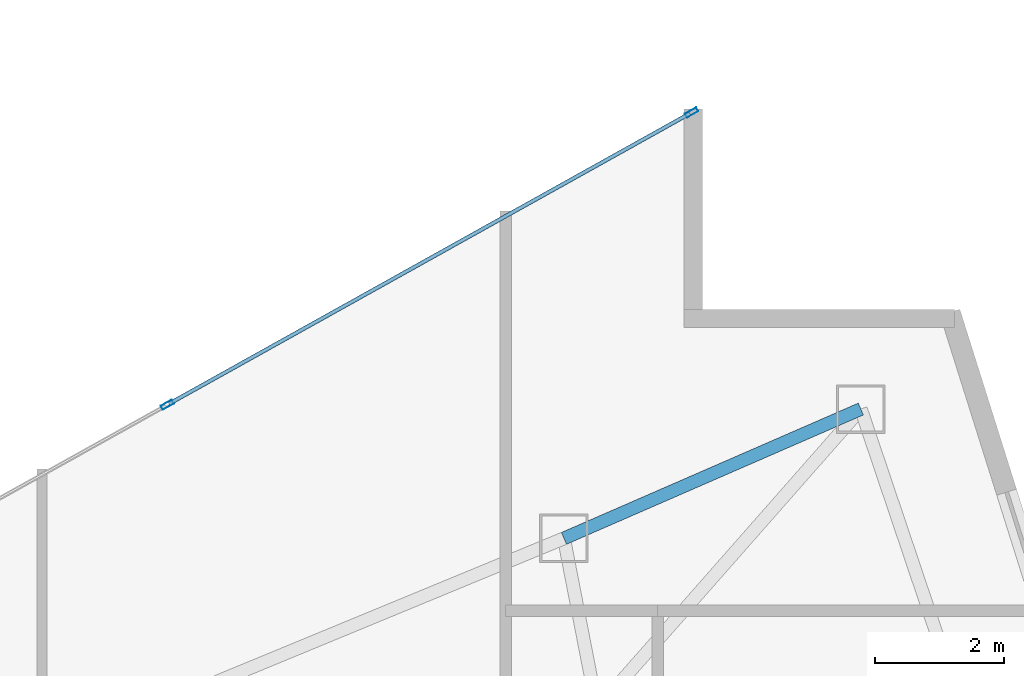
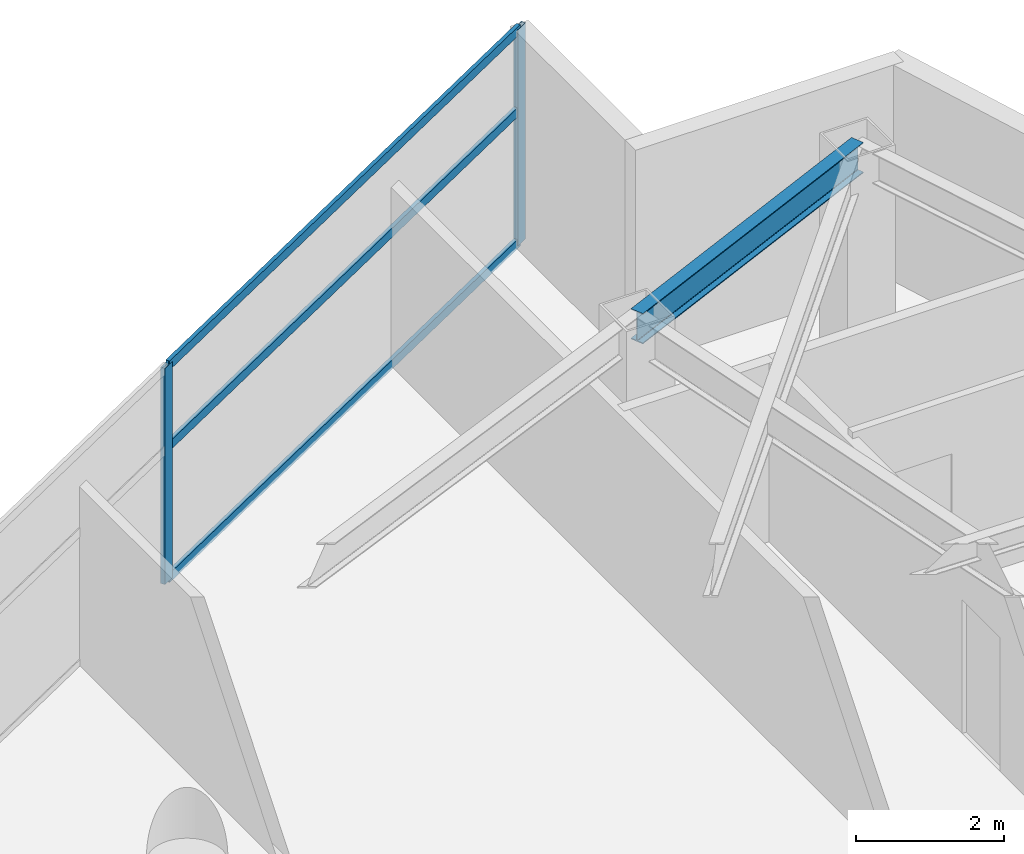
# One storey, part 20 of 29: 5 members, 1 beam, 1 element without a shape of its own.
"""IFC4 building model written with IfcOpenShell, lengths in metres."""

import ifcopenshell
import ifcopenshell.guid

model = None  # the IFC model being written
_history = None  # IfcOwnerHistory: only IFC2X3 demands one
_inside = {}  # id of a spatial element -> (the spatial element, [elements in it])
_under = {}  # id of a project, library or spatial element -> (it, [spatial elements below it])
_declared = {}  # id of a project -> (the project, [libraries it declares])
_typed = {}  # id of a type object -> (the type object, [elements of that type])
_made_of = {}  # id of a material, layer set ... -> (it, [elements and type objects made of it])


def new_model(schema):
    """Start an empty IFC model of exactly this schema.

    Asked for "IFC4X3", IfcOpenShell would pick the latest addendum, in which some entities
    have other attributes; the version numbers below select the first issue.
    IFC2X3 requires an IfcOwnerHistory on every rooted entity: one is made here for all.
    """
    global model, _history
    if schema == "IFC4X3":
        model = ifcopenshell.file(schema_version=(4, 3, 0, 0))
    else:
        model = ifcopenshell.file(schema=schema)
    _inside.clear()
    _under.clear()
    _declared.clear()
    _typed.clear()
    _made_of.clear()
    _history = None
    if model.schema == "IFC2X3":
        org = make("IfcOrganization", Name="unknown")
        user = make(
            "IfcPersonAndOrganization",
            ThePerson=make("IfcPerson", FamilyName="unknown"),
            TheOrganization=org,
        )
        app = make(
            "IfcApplication",
            ApplicationDeveloper=org,
            Version="unknown",
            ApplicationFullName="unknown",
            ApplicationIdentifier="unknown",
        )
        _history = make(
            "IfcOwnerHistory",
            OwningUser=user,
            OwningApplication=app,
            ChangeAction="ADDED",
            CreationDate=0,
        )
    return model


def make(cls, **values):
    """One entity of the class cls with the attributes given. An attribute that is None is left unset."""
    return model.create_entity(
        cls, **{name: value for name, value in values.items() if value is not None}
    )


def rooted(cls, **values):
    """An entity with a GlobalId (a new one), such as an element, a storey or a relation."""
    return make(cls, GlobalId=ifcopenshell.guid.new(), OwnerHistory=_history, **values)


def si_unit(unit_type, name, prefix=None):
    """IfcSIUnit, for example si_unit("LENGTHUNIT", "METRE", prefix="MILLI")."""
    return make("IfcSIUnit", UnitType=unit_type, Prefix=prefix, Name=name)


def assignment(units):
    """IfcUnitAssignment: the units of a project."""
    return None if units is None else make("IfcUnitAssignment", Units=units)


def point(xyz):
    """IfcCartesianPoint."""
    return None if xyz is None else make("IfcCartesianPoint", Coordinates=xyz)


def direction(xyz):
    """IfcDirection."""
    return None if xyz is None else make("IfcDirection", DirectionRatios=xyz)


def frame(location, z_axis=None, x_axis=None):
    """IfcAxis2Placement3D, a coordinate frame: its origin and axes. An axis left out is left unset."""
    return make(
        "IfcAxis2Placement3D",
        Location=point(location),
        Axis=direction(z_axis),
        RefDirection=direction(x_axis),
    )


def frame_2d(location, x_axis=None):
    """IfcAxis2Placement2D, a coordinate frame in the plane: its origin and x axis."""
    return make(
        "IfcAxis2Placement2D", Location=point(location), RefDirection=direction(x_axis)
    )


def origin():
    """The frame at (0, 0, 0) with its axes left unset."""
    return frame((0.0, 0.0, 0.0))


def origin_2d():
    """The frame at (0, 0) in the plane with its x axis left unset."""
    return frame_2d((0.0, 0.0))


def place(relative_to, where):
    """IfcLocalPlacement: puts the frame where relative to a parent placement (None: the world)."""
    return make(
        "IfcLocalPlacement", PlacementRelTo=relative_to, RelativePlacement=where
    )


def context(
    kind, dimensions, precision=None, world=None, true_north=None, identifier=None
):
    """IfcGeometricRepresentationContext, for example the 3D "Model" context."""
    return make(
        "IfcGeometricRepresentationContext",
        ContextIdentifier=identifier,
        ContextType=kind,
        CoordinateSpaceDimension=dimensions,
        Precision=precision,
        WorldCoordinateSystem=world,
        TrueNorth=true_north,
    )


def subcontext(parent, identifier, kind, view, scale=None):
    """IfcGeometricRepresentationSubContext, for example "Body" below "Model"."""
    return make(
        "IfcGeometricRepresentationSubContext",
        ContextIdentifier=identifier,
        ContextType=kind,
        ParentContext=parent,
        TargetScale=scale,
        TargetView=view,
    )


def project(units=None, contexts=None):
    """IfcProject with its units and contexts."""
    return rooted(
        "IfcProject",
        Name="project",
        RepresentationContexts=contexts,
        UnitsInContext=assignment(units),
    )


def spatial(cls, under=None, at=None, **own):
    """A site, building, storey or space (cls), placed at a placement, below another one or the project."""
    s = rooted(cls, ObjectPlacement=at, **own)
    if under is not None:
        _under.setdefault(under.id(), (under, []))[1].append(s)
    return s


def profile(cls, at=None, kind="AREA", **sizes):
    """A parametric profile (cls). Its sizes go by their IFC names, for example OverallWidth=200.0."""
    return make(cls, ProfileType=kind, Position=at, **sizes)


def hollow_rectangle(**sizes):
    """IfcRectangleHollowProfileDef."""
    return profile("IfcRectangleHollowProfileDef", **sizes)


def i_section(**sizes):
    """IfcIShapeProfileDef."""
    return profile("IfcIShapeProfileDef", **sizes)


def extrude(swept, where, along, depth):
    """IfcExtrudedAreaSolid: the profile swept, set in the frame where, extruded along a direction by depth."""
    return make(
        "IfcExtrudedAreaSolid",
        SweptArea=swept,
        Position=where,
        ExtrudedDirection=direction(along),
        Depth=depth,
    )


def shape(context_of_items, identifier, shape_type, items):
    """IfcShapeRepresentation: the items that make up one representation, for example the "Body"."""
    return make(
        "IfcShapeRepresentation",
        ContextOfItems=context_of_items,
        RepresentationIdentifier=identifier,
        RepresentationType=shape_type,
        Items=items,
    )


def material(Name=None, Category=None):
    """IfcMaterial."""
    return make("IfcMaterial", Name=Name, Category=Category)


def layer(
    of_material, thickness, ventilated=None, Name=None, Category=None, Priority=None
):
    """IfcMaterialLayer: one layer of a wall or slab, of a material (None: an air gap)."""
    return make(
        "IfcMaterialLayer",
        Material=of_material,
        LayerThickness=thickness,
        IsVentilated=ventilated,
        Name=Name,
        Category=Category,
        Priority=Priority,
    )


def layer_set(layers, Name=None):
    """IfcMaterialLayerSet."""
    return make("IfcMaterialLayerSet", MaterialLayers=layers, LayerSetName=Name)


def material_profile(
    of_material, cross_section, Name=None, Category=None, Priority=None
):
    """IfcMaterialProfile: a cross section and its material."""
    return make(
        "IfcMaterialProfile",
        Name=Name,
        Material=of_material,
        Profile=cross_section,
        Priority=Priority,
        Category=Category,
    )


def profile_set(profiles, Name=None, composite=None):
    """IfcMaterialProfileSet."""
    return make(
        "IfcMaterialProfileSet",
        Name=Name,
        MaterialProfiles=profiles,
        CompositeProfile=composite,
    )


def made_of(thing, what):
    """Note that an element or type object is made of a material, layer set ...; save() writes the relation."""
    if what is not None:
        _made_of.setdefault(what.id(), (what, []))[1].append(thing)
    return thing


def type_object(cls, material=None, **own):
    """A type object (cls), such as IfcWallType, which elements share."""
    return made_of(rooted(cls, **own), material)


def element(
    cls,
    number,
    at=None,
    inside=None,
    cuts=None,
    type_object=None,
    material=None,
    context=None,
    identifier="Body",
    shape_type=None,
    held_by="IfcProductDefinitionShape",
    body=None,
    shapes=None,
    **own,
):
    """One element of the class cls, such as IfcWall. Its Tag is "e" and its number.

    at: its placement. inside: the storey or other place that contains it. cuts: it is an
    opening in that element (IfcRelVoidsElement). A single representation is given by context,
    identifier, shape_type and body (its items); several are given by shapes. held_by: the class
    of the entity that holds the representations. save() writes the other relations.
    """
    e = rooted(cls, Tag="e%d" % number, ObjectPlacement=at, **own)
    if body is not None:
        shapes = [shape(context, identifier, shape_type, body)]
    if shapes is not None:
        e.Representation = make(held_by, Representations=shapes)
    if inside is not None:
        _inside.setdefault(inside.id(), (inside, []))[1].append(e)
    if cuts is not None:
        rooted(
            "IfcRelVoidsElement", RelatingBuildingElement=cuts, RelatedOpeningElement=e
        )
    if type_object is not None:
        _typed.setdefault(type_object.id(), (type_object, []))[1].append(e)
    return made_of(e, material)


def aggregate(whole, parts):
    """IfcRelAggregates: a whole, such as a stair, and the parts it consists of."""
    return rooted("IfcRelAggregates", RelatingObject=whole, RelatedObjects=parts)


def save(model, path):
    """Write the relations noted so far, then the file.

    IfcRelAggregates (storeys below a building ...), IfcRelContainedInSpatialStructure (elements
    in a storey), IfcRelDefinesByType, IfcRelAssociatesMaterial and IfcRelDeclares: one each for
    every whole, place, type object, material and project.
    """
    for whole, parts in _under.values():
        aggregate(whole, parts)
    for where, things in _inside.values():
        rooted(
            "IfcRelContainedInSpatialStructure",
            RelatedElements=things,
            RelatingStructure=where,
        )
    for kind, things in _typed.values():
        rooted("IfcRelDefinesByType", RelatedObjects=things, RelatingType=kind)
    for what, things in _made_of.values():
        rooted("IfcRelAssociatesMaterial", RelatedObjects=things, RelatingMaterial=what)
    for by, libraries in _declared.values():
        rooted("IfcRelDeclares", RelatingContext=by, RelatedDefinitions=libraries)
    model.write(path)


model = new_model("IFC4")

# Units and contexts
model_context = context("Model", 3, precision=1e-05, world=origin(), true_north=direction((0.0, 1.0)))
body_context = subcontext(model_context, "Body", "Model", "MODEL_VIEW")
ifc_project = project(units=[si_unit("LENGTHUNIT", "METRE"), si_unit("AREAUNIT", "SQUARE_METRE"), si_unit("VOLUMEUNIT", "CUBIC_METRE"), si_unit("PLANEANGLEUNIT", "RADIAN"), si_unit("MASSUNIT", "GRAM", prefix="KILO")], contexts=[model_context])

# Site, building, storey
site_placement = place(None, origin())
site = spatial("IfcSite", under=ifc_project, at=site_placement, CompositionType="ELEMENT")
building_placement = place(site_placement, origin())
building = spatial("IfcBuilding", under=site, at=building_placement, Name="Calvorn Quay Hotel", CompositionType="ELEMENT")
storey_placement = place(building_placement, frame((0.0, 0.0, 163.699951171875)))
storey = spatial("IfcBuildingStorey", under=building, at=storey_placement, Name="L40", CompositionType="ELEMENT", Elevation=163.699951171875)

# Beam
ifc_material_1 = material(Name="Steel Q355B", Category="steel")
ifc_material_profile_1 = material_profile(ifc_material_1, i_section(OverallWidth=0.199951171875, OverallDepth=0.5, WebThickness=0.010009765625, FlangeThickness=0.01611328125, FilletRadius=0.01611328125, at=origin_2d()), Name="HN500x200x10x16")
ifc_profile_set_1 = profile_set([ifc_material_profile_1], Name="Steel Q355B")
beam_type = type_object("IfcBeamType", Name="BM-SPANDREL-Z1", PredefinedType="SPANDREL", material=ifc_profile_set_1)
beam_placement = place(storey_placement, frame((48.591064453125, 33.39990234375, 3.2900390625), z_axis=(-0.916786146489, -0.399378469132, 0.0), x_axis=(0.399378469132, -0.916786146489, 0.0)))
element("IfcBeam", 1, at=beam_placement, inside=storey, type_object=beam_type, Name="Beam BSP-L40-E3", PredefinedType="SPANDREL", context=body_context, shape_type="SweptSolid", body=[
    extrude(i_section(OverallWidth=0.199951171875, OverallDepth=0.5, WebThickness=0.010009765625, FlangeThickness=0.01611328125, FilletRadius=0.01611328125, at=origin_2d()), origin(), (0.0, 0.0, 1.0), 5.0078125),
])

# Curtain wall, members
ifc_material_2 = material(Name="Pale Anodised Aluminium and Low-E Glass", Category="aluminium")
ifc_layer = layer(ifc_material_2, 0.219970703125)
ifc_layer_set = layer_set([ifc_layer], Name="CW-SYS-Z2")
curtain_wall_type = type_object("IfcCurtainWallType", Name="CW-SYS-Z2", PredefinedType="NOTDEFINED", material=ifc_layer_set)
curtain_wall_placement = place(storey_placement, origin())
curtain_wall = element("IfcCurtainWall", 2, at=curtain_wall_placement, inside=storey, type_object=curtain_wall_type, Name="Inner Court Curtain Wall L40-NE1", PredefinedType="NOTDEFINED")
ifc_material_3 = material(Name="Pale Anodised Aluminium 6063-T6", Category="aluminium")
ifc_material_profile_2 = material_profile(ifc_material_3, hollow_rectangle(XDim=0.070068359375, YDim=0.199951171875, WallThickness=0.00390625, at=origin_2d()), Name="ALU-M200x70x4")
ifc_profile_set_2 = profile_set([ifc_material_profile_2], Name="Pale Anodised Aluminium 6063-T6")
member_type_1 = type_object("IfcMemberType", Name="CW-SYS-Z2-MUL", PredefinedType="MULLION", material=ifc_profile_set_2)
member_1_placement = place(storey_placement, frame((45.973876953125, 37.9853515625, 0.0), z_axis=(0.0, 0.0, 1.0), x_axis=(0.486858256224, -0.873480989116, 0.0)))
member_1 = element("IfcMember", 3, at=member_1_placement, type_object=member_type_1, Name="CW-L40-NE1 mullion 1", PredefinedType="MULLION", context=body_context, shape_type="SweptSolid", body=[
    extrude(hollow_rectangle(XDim=0.070068359375, YDim=0.199951171875, WallThickness=0.00390625, at=origin_2d()), origin(), (0.0, 0.0, 1.0), 3.56005859375),
])
member_2_placement = place(storey_placement, frame((37.86669921875, 33.466552734375, 0.0), z_axis=(0.0, 0.0, 1.0), x_axis=(0.486858256224, -0.873480989116, 0.0)))
member_2 = element("IfcMember", 4, at=member_2_placement, type_object=member_type_1, Name="CW-L40-NE1 mullion 2", PredefinedType="MULLION", context=body_context, shape_type="SweptSolid", body=[
    extrude(hollow_rectangle(XDim=0.070068359375, YDim=0.199951171875, WallThickness=0.00390625, at=origin_2d()), origin(), (0.0, 0.0, 1.0), 3.56005859375),
])
ifc_material_4 = material(Name="Pale Anodised Aluminium 6063-T6", Category="aluminium")
ifc_material_profile_3 = material_profile(ifc_material_4, hollow_rectangle(XDim=0.06005859375, YDim=0.14990234375, WallThickness=0.00341796875, at=origin_2d()), Name="ALU-T150x60x3.5")
ifc_profile_set_3 = profile_set([ifc_material_profile_3], Name="Pale Anodised Aluminium 6063-T6")
member_type_2 = type_object("IfcMemberType", Name="CW-SYS-Z2-TRN", PredefinedType="USERDEFINED", material=ifc_profile_set_3)
member_3_placement = place(storey_placement, frame((45.947509765625, 37.970703125, 0.030029296875), z_axis=(-0.87348080454, -0.486858587375, 0.0), x_axis=(0.486858587375, -0.87348080454, 0.0)))
member_3 = element("IfcMember", 5, at=member_3_placement, type_object=member_type_2, Name="CW-L40-NE1 transom 1.1", ObjectType="TRANSOM", PredefinedType="USERDEFINED", context=body_context, shape_type="SweptSolid", body=[
    extrude(hollow_rectangle(XDim=0.06005859375, YDim=0.14990234375, WallThickness=0.00341796875, at=origin_2d()), origin(), (0.0, 0.0, 1.0), 9.221435546875),
])
member_4_placement = place(storey_placement, frame((45.947509765625, 37.970703125, 2.199951171875), z_axis=(-0.87348080454, -0.486858587375, 0.0), x_axis=(0.486858587375, -0.87348080454, 0.0)))
member_4 = element("IfcMember", 6, at=member_4_placement, type_object=member_type_2, Name="CW-L40-NE1 transom 1.2", ObjectType="TRANSOM", PredefinedType="USERDEFINED", context=body_context, shape_type="SweptSolid", body=[
    extrude(hollow_rectangle(XDim=0.06005859375, YDim=0.14990234375, WallThickness=0.00341796875, at=origin_2d()), origin(), (0.0, 0.0, 1.0), 9.221435546875),
])
member_5_placement = place(storey_placement, frame((45.947509765625, 37.970703125, 3.530029296875), z_axis=(-0.87348080454, -0.486858587375, 0.0), x_axis=(0.486858587375, -0.87348080454, 0.0)))
member_5 = element("IfcMember", 7, at=member_5_placement, type_object=member_type_2, Name="CW-L40-NE1 transom 1.3", ObjectType="TRANSOM", PredefinedType="USERDEFINED", context=body_context, shape_type="SweptSolid", body=[
    extrude(hollow_rectangle(XDim=0.06005859375, YDim=0.14990234375, WallThickness=0.00341796875, at=origin_2d()), origin(), (0.0, 0.0, 1.0), 9.221435546875),
])
aggregate(curtain_wall, [member_1, member_2, member_3, member_4, member_5])

save(model, "model.ifc")
